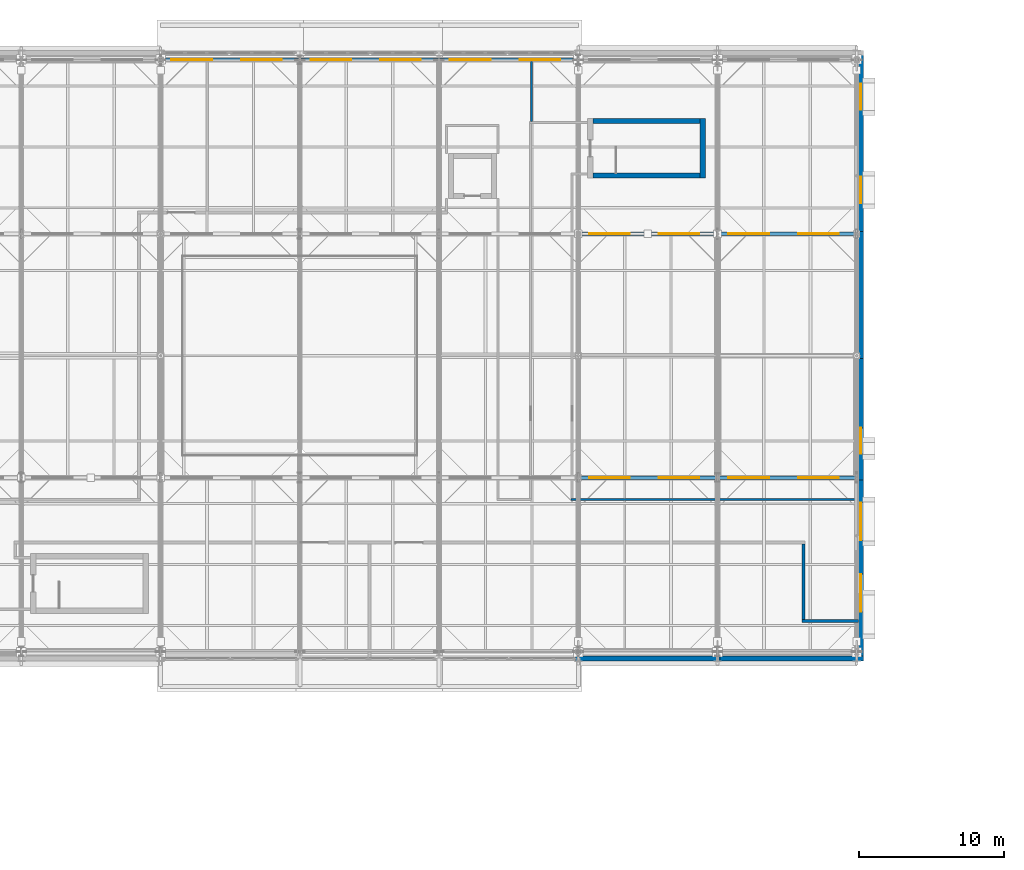
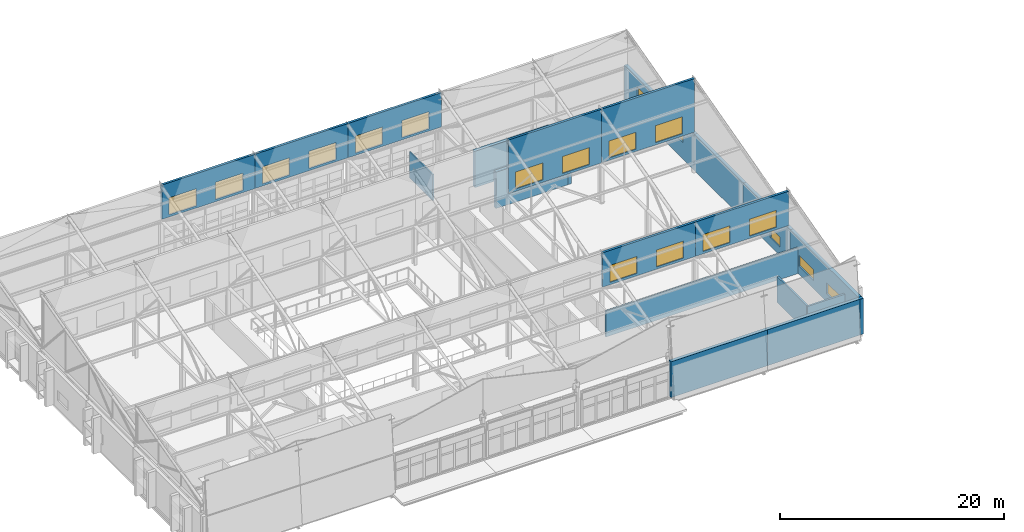
# One storey, part 82 of 89: 20 walls, 19 windows, 19 openings.
"""IFC4 building model written with IfcOpenShell, lengths in metres."""

from ifc_helpers import new_model, si_unit, direction, frame, frame_2d, origin, place, context, subcontext, project, spatial, rectangle, extrude, material, layer, layer_set, type_object, element, fill, save


model = new_model("IFC4")

# Units and contexts
model_context = context("Model", 3, precision=1e-05, world=origin(), true_north=direction((0.0, 1.0)))
body_context = subcontext(model_context, "Body", "Model", "MODEL_VIEW")
ifc_project = project(units=[si_unit("LENGTHUNIT", "METRE"), si_unit("AREAUNIT", "SQUARE_METRE"), si_unit("VOLUMEUNIT", "CUBIC_METRE"), si_unit("PLANEANGLEUNIT", "RADIAN"), si_unit("MASSUNIT", "GRAM", prefix="KILO")], contexts=[model_context])

# Site, building, storey
site_placement = place(None, origin())
site = spatial("IfcSite", under=ifc_project, at=site_placement, CompositionType="ELEMENT")
building_placement = place(site_placement, origin())
building = spatial("IfcBuilding", under=site, at=building_placement, Name="Zereglee Splitstone Museum", CompositionType="ELEMENT")
storey_placement = place(building_placement, frame((0.0, 0.0, 21.300048828125)))
storey = spatial("IfcBuildingStorey", under=building, at=storey_placement, Name="L04", CompositionType="ELEMENT", Elevation=21.300048828125)

# Walls
ifc_material_1 = material(Name="Concrete C45/55", Category="concrete")
ifc_layer_1 = layer(ifc_material_1, 0.360107421875)
ifc_layer_set_1 = layer_set([ifc_layer_1], Name="Concrete C45/55")
wall_type_1 = type_object("IfcWallType", Name="CSW-02", PredefinedType="SHEAR", material=ifc_layer_set_1)
wall_1_placement = place(storey_placement, frame((134.580078125, 42.239990234375, 0.0), z_axis=(0.0, 0.0, 1.0), x_axis=(0.0, 1.0, 0.0)))
element("IfcWall", 1, at=wall_1_placement, inside=storey, type_object=wall_type_1, Name="Stair Core Shear Wall ST-03 L04 East", PredefinedType="SHEAR", context=body_context, shape_type="SweptSolid", body=[
    extrude(rectangle(XDim=4.1201171875, YDim=0.360107421875, at=frame_2d((2.06005859375, 0.0))), origin(), (0.0, 0.0, 1.0), 3.949951171875),
])
for number, where, z_axis, x_axis, name in (
    (2, (127.0, 46.179931640625, 0.0), (0.0, 0.0, 1.0), (1.0, 0.0, 0.0), "Stair Core Shear Wall ST-03 L04 North"),
    (3, (127.0, 42.419921875, 0.0), (0.0, 0.0, 1.0), (1.0, 0.0, 0.0), "Stair Core Shear Wall ST-03 L04 South"),
):
    element("IfcWall", number, at=place(storey_placement, frame(where, z_axis=z_axis, x_axis=x_axis)), inside=storey, type_object=wall_type_1, Name=name, PredefinedType="SHEAR", context=body_context, shape_type="SweptSolid", body=[
        extrude(rectangle(XDim=7.39990234375, YDim=0.360107421875, at=frame_2d((3.699951171875, 0.0))), origin(), (0.0, 0.0, 1.0), 3.949951171875),
    ])
ifc_material_2 = material(Name="Precast concrete C40/50", Category="concrete")
ifc_layer_2 = layer(ifc_material_2, 0.35009765625)
ifc_layer_set_2 = layer_set([ifc_layer_2], Name="Precast concrete C40/50")
wall_type_2 = type_object("IfcWallType", Name="EW-01", PredefinedType="STANDARD", material=ifc_layer_set_2)
wall_2_placement = place(storey_placement, frame((125.820068359375, 9.1201171875, 0.0), z_axis=(0.0, 0.0, 1.0), x_axis=(1.0, 0.0, 0.0)))
element("IfcWall", 4, at=wall_2_placement, inside=storey, type_object=wall_type_2, Name="Exterior Backup Wall RC4-EW-L04-0224", PredefinedType="STANDARD", context=body_context, shape_type="SweptSolid", body=[
    extrude(rectangle(XDim=9.9599609375, YDim=0.35009765625, at=frame_2d((4.97998046875, 0.0))), origin(), (0.0, 0.0, 1.0), 3.89990234375),
])
wall_3_placement = place(storey_placement, frame((135.419921875, 9.1201171875, 0.0), z_axis=(0.0, 0.0, 1.0), x_axis=(1.0, 0.0, 0.0)))
element("IfcWall", 5, at=wall_3_placement, inside=storey, type_object=wall_type_2, Name="Exterior Backup Wall RC4-EW-L04-0225", PredefinedType="STANDARD", context=body_context, shape_type="SweptSolid", body=[
    extrude(rectangle(XDim=10.239990234375, YDim=0.35009765625, at=frame_2d((5.1201171875, 0.0))), origin(), (0.0, 0.0, 1.0), 3.89990234375),
])

# Wall, openings, windows
wall_4_placement = place(storey_placement, frame((145.47998046875, 8.93994140625, 0.0), z_axis=(0.0, 0.0, 1.0), x_axis=(0.0, 1.0, 0.0)))
wall_4 = element("IfcWall", 6, at=wall_4_placement, inside=storey, type_object=wall_type_2, Name="Exterior Backup Wall RC4-EW-L04-0226", PredefinedType="STANDARD", context=body_context, shape_type="SweptSolid", body=[
    extrude(rectangle(XDim=12.840087890625, YDim=0.35009765625, at=frame_2d((6.419921875, 0.0))), origin(), (0.0, 0.0, 1.0), 3.89990234375),
])
opening_1_placement = place(wall_4_placement, frame((3.409912109375, 0.0, 0.89990234375)))
opening_1 = element("IfcOpeningElement", 7, at=opening_1_placement, cuts=wall_4, Name="Opening EW-W14", PredefinedType="OPENING", context=body_context, shape_type="SweptSolid", body=[
    extrude(rectangle(XDim=2.60009765625, YDim=1.199951171875, at=frame_2d((1.300048828125, 0.60009765625))), frame((0.0, 0.18994140625, 0.0), z_axis=(0.0, -1.0, 0.0), x_axis=(1.0, 0.0, 0.0)), (0.0, 0.0, 1.0), 0.3798828125),
])
opening_2_placement = place(wall_4_placement, frame((8.330078125, 0.0, 0.89990234375)))
opening_2 = element("IfcOpeningElement", 8, at=opening_2_placement, cuts=wall_4, Name="Opening EW-W14", PredefinedType="OPENING", context=body_context, shape_type="SweptSolid", body=[
    extrude(rectangle(XDim=2.60009765625, YDim=1.199951171875, at=frame_2d((1.300048828125, 0.60009765625))), frame((0.0, 0.18994140625, 0.0), z_axis=(0.0, -1.0, 0.0), x_axis=(1.0, 0.0, 0.0)), (0.0, 0.0, 1.0), 0.3798828125),
])
ifc_material_3 = material(Name="Thermally broken aluminium frame with triple low-e glazing", Category="aluminium")
window_type_1 = type_object("IfcWindowType", Name="EW-W14", PartitioningType="TRIPLE_PANEL_VERTICAL", PredefinedType="WINDOW", material=ifc_material_3)
window_1_placement = place(opening_1_placement, origin())
window_1 = element("IfcWindow", 9, at=window_1_placement, inside=storey, type_object=window_type_1, Name="Mughal Deep-Reveal Gallery Window L04-0142", OverallHeight=1.199951171875, OverallWidth=2.60009765625, PartitioningType="SINGLE_PANEL", PredefinedType="WINDOW", context=body_context, shape_type="SweptSolid", body=[
    extrude(rectangle(XDim=2.60009765625, YDim=1.199951171875, at=frame_2d((1.300048828125, 0.60009765625))), frame((0.0, 0.030029296875, 0.0), z_axis=(0.0, -1.0, 0.0), x_axis=(1.0, 0.0, 0.0)), (0.0, 0.0, 1.0), 0.06005859375),
])
fill(opening_1, window_1)
window_2_placement = place(opening_2_placement, origin())
window_2 = element("IfcWindow", 10, at=window_2_placement, inside=storey, type_object=window_type_1, Name="Mughal Deep-Reveal Gallery Window L04-0143", OverallHeight=1.199951171875, OverallWidth=2.60009765625, PartitioningType="SINGLE_PANEL", PredefinedType="WINDOW", context=body_context, shape_type="SweptSolid", body=[
    extrude(rectangle(XDim=2.60009765625, YDim=1.199951171875, at=frame_2d((1.300048828125, 0.60009765625))), frame((0.0, 0.030029296875, 0.0), z_axis=(0.0, -1.0, 0.0), x_axis=(1.0, 0.0, 0.0)), (0.0, 0.0, 1.0), 0.06005859375),
])
fill(opening_2, window_2)

# Wall, opening, window
wall_5_placement = place(storey_placement, frame((145.47998046875, 21.419921875, 0.0), z_axis=(0.0, 0.0, 1.0), x_axis=(0.0, 1.0, 0.0)))
wall_5 = element("IfcWall", 11, at=wall_5_placement, inside=storey, type_object=wall_type_2, Name="Exterior Backup Wall RC4-EW-L04-0227", PredefinedType="STANDARD", context=body_context, shape_type="SweptSolid", body=[
    extrude(rectangle(XDim=8.760009765625, YDim=0.35009765625, at=frame_2d((4.3798828125, 0.0))), origin(), (0.0, 0.0, 1.0), 3.89990234375),
])
opening_3_placement = place(wall_5_placement, frame((1.81494140625, 0.0, 0.89990234375)))
opening_3 = element("IfcOpeningElement", 12, at=opening_3_placement, cuts=wall_5, Name="Opening EW-W12", PredefinedType="OPENING", context=body_context, shape_type="SweptSolid", body=[
    extrude(rectangle(XDim=1.800048828125, YDim=1.10009765625, at=frame_2d((0.89990234375, 0.550048828125))), frame((0.0, 0.18994140625, 0.0), z_axis=(0.0, -1.0, 0.0), x_axis=(1.0, 0.0, 0.0)), (0.0, 0.0, 1.0), 0.3798828125),
])
window_type_2 = type_object("IfcWindowType", Name="EW-W12", PartitioningType="DOUBLE_PANEL_HORIZONTAL", PredefinedType="WINDOW", material=ifc_material_3)
window_3_placement = place(opening_3_placement, origin())
window_3 = element("IfcWindow", 13, at=window_3_placement, inside=storey, type_object=window_type_2, Name="Mughal Deep-Reveal Gallery Window L04-0144", OverallHeight=1.10009765625, OverallWidth=1.800048828125, PartitioningType="SINGLE_PANEL", PredefinedType="WINDOW", context=body_context, shape_type="SweptSolid", body=[
    extrude(rectangle(XDim=1.800048828125, YDim=1.10009765625, at=frame_2d((0.89990234375, 0.550048828125))), frame((0.0, 0.030029296875, 0.0), z_axis=(0.0, -1.0, 0.0), x_axis=(1.0, 0.0, 0.0)), (0.0, 0.0, 1.0), 0.06005859375),
])
fill(opening_3, window_3)

# Wall
wall_6_placement = place(storey_placement, frame((145.47998046875, 29.820068359375, 0.0), z_axis=(0.0, 0.0, 1.0), x_axis=(0.0, 1.0, 0.0)))
element("IfcWall", 14, at=wall_6_placement, inside=storey, type_object=wall_type_2, Name="Exterior Backup Wall RC4-EW-L04-0228", PredefinedType="STANDARD", context=body_context, shape_type="SweptSolid", body=[
    extrude(rectangle(XDim=8.760009765625, YDim=0.35009765625, at=frame_2d((4.3798828125, 0.0))), origin(), (0.0, 0.0, 1.0), 3.89990234375),
])

# Wall, openings, windows
wall_7_placement = place(storey_placement, frame((145.47998046875, 38.219970703125, 0.0), z_axis=(0.0, 0.0, 1.0), x_axis=(0.0, 1.0, 0.0)))
wall_7 = element("IfcWall", 15, at=wall_7_placement, inside=storey, type_object=wall_type_2, Name="Exterior Backup Wall RC4-EW-L04-0229", PredefinedType="STANDARD", context=body_context, shape_type="SweptSolid", body=[
    extrude(rectangle(XDim=12.840087890625, YDim=0.35009765625, at=frame_2d((6.419921875, 0.0))), origin(), (0.0, 0.0, 1.0), 3.89990234375),
])
opening_4_placement = place(wall_7_placement, frame((2.31005859375, 0.0, 1.800048828125)))
opening_4 = element("IfcOpeningElement", 16, at=opening_4_placement, cuts=wall_7, Name="Opening EW-W12", PredefinedType="OPENING", context=body_context, shape_type="SweptSolid", body=[
    extrude(rectangle(XDim=1.800048828125, YDim=1.10009765625, at=frame_2d((0.89990234375, 0.550048828125))), frame((0.0, 0.18994140625, 0.0), z_axis=(0.0, -1.0, 0.0), x_axis=(1.0, 0.0, 0.0)), (0.0, 0.0, 1.0), 0.3798828125),
])
opening_5_placement = place(wall_7_placement, frame((8.72998046875, 0.0, 1.800048828125)))
opening_5 = element("IfcOpeningElement", 17, at=opening_5_placement, cuts=wall_7, Name="Opening EW-W12", PredefinedType="OPENING", context=body_context, shape_type="SweptSolid", body=[
    extrude(rectangle(XDim=1.800048828125, YDim=1.10009765625, at=frame_2d((0.89990234375, 0.550048828125))), frame((0.0, 0.18994140625, 0.0), z_axis=(0.0, -1.0, 0.0), x_axis=(1.0, 0.0, 0.0)), (0.0, 0.0, 1.0), 0.3798828125),
])
window_4_placement = place(opening_4_placement, origin())
window_4 = element("IfcWindow", 18, at=window_4_placement, inside=storey, type_object=window_type_2, Name="Mughal Deep-Reveal Gallery Window L04-0145", OverallHeight=1.10009765625, OverallWidth=1.800048828125, PartitioningType="SINGLE_PANEL", PredefinedType="WINDOW", context=body_context, shape_type="SweptSolid", body=[
    extrude(rectangle(XDim=1.800048828125, YDim=1.10009765625, at=frame_2d((0.89990234375, 0.550048828125))), frame((0.0, 0.030029296875, 0.0), z_axis=(0.0, -1.0, 0.0), x_axis=(1.0, 0.0, 0.0)), (0.0, 0.0, 1.0), 0.06005859375),
])
fill(opening_4, window_4)
window_5_placement = place(opening_5_placement, origin())
window_5 = element("IfcWindow", 19, at=window_5_placement, inside=storey, type_object=window_type_2, Name="Mughal Deep-Reveal Gallery Window L04-0146", OverallHeight=1.10009765625, OverallWidth=1.800048828125, PartitioningType="SINGLE_PANEL", PredefinedType="WINDOW", context=body_context, shape_type="SweptSolid", body=[
    extrude(rectangle(XDim=1.800048828125, YDim=1.10009765625, at=frame_2d((0.89990234375, 0.550048828125))), frame((0.0, 0.030029296875, 0.0), z_axis=(0.0, -1.0, 0.0), x_axis=(1.0, 0.0, 0.0)), (0.0, 0.0, 1.0), 0.06005859375),
])
fill(opening_5, window_5)

# Walls
ifc_material_4 = material(Name="Fire-rated gypsum board partition", Category="masonry")
ifc_layer_3 = layer(ifc_material_4, 0.139892578125)
ifc_layer_set_3 = layer_set([ifc_layer_3], Name="Fire-rated gypsum board partition")
wall_type_3 = type_object("IfcWallType", Name="IW-05", PredefinedType="PARTITIONING", material=ifc_layer_set_3)
wall_8_placement = place(storey_placement, frame((125.510009765625, 20.080078125, 0.0), z_axis=(0.0, 0.0, 1.0), x_axis=(1.0, 0.0, 0.0)))
element("IfcWall", 20, at=wall_8_placement, inside=storey, type_object=wall_type_3, Name="Interior Partition L04-0648 (Curatorial Study Room)", PredefinedType="PARTITIONING", context=body_context, shape_type="SweptSolid", body=[
    extrude(rectangle(XDim=19.794921875, YDim=0.139892578125, at=frame_2d((9.8974609375, 0.0))), origin(), (0.0, 0.0, 1.0), 2.829833984375),
])
wall_9_placement = place(storey_placement, frame((122.780029296875, 46.14990234375, 0.0), z_axis=(0.0, 0.0, 1.0), x_axis=(0.0, 1.0, 0.0)))
element("IfcWall", 21, at=wall_9_placement, inside=storey, type_object=wall_type_3, Name="Interior Partition L04-0690 (Research Reading Room)", PredefinedType="PARTITIONING", context=body_context, shape_type="SweptSolid", body=[
    extrude(rectangle(XDim=4.130126953125, YDim=0.139892578125, at=frame_2d((2.06494140625, 0.0))), origin(), (0.0, 0.0, 1.0), 2.829833984375),
])
ifc_material_5 = material(Name="Gypsum board on acoustic steel stud", Category="steel")
ifc_layer_4 = layer(ifc_material_5, 0.18994140625)
ifc_layer_set_4 = layer_set([ifc_layer_4], Name="Gypsum board on acoustic steel stud")
wall_type_4 = type_object("IfcWallType", Name="IW-02", PredefinedType="PARTITIONING", material=ifc_layer_set_4)
wall_10_placement = place(storey_placement, frame((141.425048828125, 11.719970703125, 0.0), z_axis=(0.0, 0.0, 1.0), x_axis=(1.0, 0.0, 0.0)))
element("IfcWall", 22, at=wall_10_placement, inside=storey, type_object=wall_type_4, Name="Interior Partition L04-0633 (Contemporary Central Asian Art Gallery)", PredefinedType="PARTITIONING", context=body_context, shape_type="SweptSolid", body=[
    extrude(rectangle(XDim=3.8798828125, YDim=0.18994140625, at=frame_2d((1.93994140625, 0.0))), origin(), (0.0, 0.0, 1.0), 2.829833984375),
])
wall_11_placement = place(storey_placement, frame((141.52001953125, 11.81494140625, 0.0), z_axis=(0.0, 0.0, 1.0), x_axis=(0.0, 1.0, 0.0)))
element("IfcWall", 23, at=wall_11_placement, inside=storey, type_object=wall_type_4, Name="Interior Partition L04-0694 (Contemporary Central Asian Art Gallery)", PredefinedType="PARTITIONING", context=body_context, shape_type="SweptSolid", body=[
    extrude(rectangle(XDim=5.2099609375, YDim=0.18994140625, at=frame_2d((2.60498046875, 0.0))), origin(), (0.0, 0.0, 1.0), 2.829833984375),
])

# Wall, openings, windows
ifc_layer_5 = layer(ifc_material_2, 0.239990234375)
ifc_layer_set_5 = layer_set([ifc_layer_5], Name="Precast concrete C40/50")
wall_type_5 = type_object("IfcWallType", Name="EW-04", PredefinedType="STANDARD", material=ifc_layer_set_5)
wall_12_placement = place(storey_placement, frame((97.199951171875, 50.39990234375, 4.3798828125), z_axis=(0.0, 0.0, 1.0), x_axis=(1.0, 0.0, 0.0)))
wall_12 = element("IfcWall", 24, at=wall_12_placement, inside=storey, type_object=wall_type_5, Name="North-Light Monitor Wall B3-S3", PredefinedType="STANDARD", context=body_context, shape_type="SweptSolid", body=[
    extrude(rectangle(XDim=9.60009765625, YDim=0.239990234375, at=frame_2d((4.800048828125, 0.0))), origin(), (0.0, 0.0, 1.0), 3.739990234375),
])
opening_6_placement = place(wall_12_placement, frame((0.75, 0.0, 0.25)))
opening_6 = element("IfcOpeningElement", 25, at=opening_6_placement, cuts=wall_12, Name="Opening SK-01", PredefinedType="OPENING", context=body_context, shape_type="SweptSolid", body=[
    extrude(rectangle(XDim=2.800048828125, YDim=1.85009765625, at=frame_2d((1.39990234375, 0.925048828125))), frame((0.0, 0.134765625, 0.0), z_axis=(0.0, -1.0, 0.0), x_axis=(1.0, 0.0, 0.0)), (0.0, 0.0, 1.0), 0.269775390625),
])
opening_7_placement = place(wall_12_placement, frame((5.550048828125, 0.0, 0.25)))
opening_7 = element("IfcOpeningElement", 26, at=opening_7_placement, cuts=wall_12, Name="Opening SK-01", PredefinedType="OPENING", context=body_context, shape_type="SweptSolid", body=[
    extrude(rectangle(XDim=2.800048828125, YDim=1.85009765625, at=frame_2d((1.39990234375, 0.925048828125))), frame((0.0, 0.134765625, 0.0), z_axis=(0.0, -1.0, 0.0), x_axis=(1.0, 0.0, 0.0)), (0.0, 0.0, 1.0), 0.269775390625),
])
window_type_3 = type_object("IfcWindowType", Name="SK-01", PartitioningType="TRIPLE_PANEL_VERTICAL", PredefinedType="SKYLIGHT", material=ifc_material_3)
window_6_placement = place(opening_6_placement, origin())
window_6 = element("IfcWindow", 27, at=window_6_placement, inside=storey, type_object=window_type_3, Name="North-Light Sawtooth Skylight B3-S3-1", OverallHeight=1.85009765625, OverallWidth=2.800048828125, PartitioningType="SINGLE_PANEL", PredefinedType="SKYLIGHT", context=body_context, shape_type="SweptSolid", body=[
    extrude(rectangle(XDim=2.800048828125, YDim=1.85009765625, at=frame_2d((1.39990234375, 0.925048828125))), frame((0.0, 0.030029296875, 0.0), z_axis=(0.0, -1.0, 0.0), x_axis=(1.0, 0.0, 0.0)), (0.0, 0.0, 1.0), 0.06005859375),
])
fill(opening_6, window_6)
window_7_placement = place(opening_7_placement, origin())
window_7 = element("IfcWindow", 28, at=window_7_placement, inside=storey, type_object=window_type_3, Name="North-Light Sawtooth Skylight B3-S3-2", OverallHeight=1.85009765625, OverallWidth=2.800048828125, PartitioningType="SINGLE_PANEL", PredefinedType="SKYLIGHT", context=body_context, shape_type="SweptSolid", body=[
    extrude(rectangle(XDim=2.800048828125, YDim=1.85009765625, at=frame_2d((1.39990234375, 0.925048828125))), frame((0.0, 0.030029296875, 0.0), z_axis=(0.0, -1.0, 0.0), x_axis=(1.0, 0.0, 0.0)), (0.0, 0.0, 1.0), 0.06005859375),
])
fill(opening_7, window_7)

wall_13_placement = place(storey_placement, frame((106.800048828125, 50.39990234375, 4.3798828125), z_axis=(0.0, 0.0, 1.0), x_axis=(1.0, 0.0, 0.0)))
wall_13 = element("IfcWall", 29, at=wall_13_placement, inside=storey, type_object=wall_type_5, Name="North-Light Monitor Wall B4-S3", PredefinedType="STANDARD", context=body_context, shape_type="SweptSolid", body=[
    extrude(rectangle(XDim=9.599853515625, YDim=0.239990234375, at=frame_2d((4.7998046875, 0.0))), origin(), (0.0, 0.0, 1.0), 3.739990234375),
])
opening_8_placement = place(wall_13_placement, frame((0.75, 0.0, 0.25)))
opening_8 = element("IfcOpeningElement", 30, at=opening_8_placement, cuts=wall_13, Name="Opening SK-01", PredefinedType="OPENING", context=body_context, shape_type="SweptSolid", body=[
    extrude(rectangle(XDim=2.800048828125, YDim=1.85009765625, at=frame_2d((1.39990234375, 0.925048828125))), frame((0.0, 0.134765625, 0.0), z_axis=(0.0, -1.0, 0.0), x_axis=(1.0, 0.0, 0.0)), (0.0, 0.0, 1.0), 0.269775390625),
])
opening_9_placement = place(wall_13_placement, frame((5.550048828125, 0.0, 0.25)))
opening_9 = element("IfcOpeningElement", 31, at=opening_9_placement, cuts=wall_13, Name="Opening SK-01", PredefinedType="OPENING", context=body_context, shape_type="SweptSolid", body=[
    extrude(rectangle(XDim=2.800048828125, YDim=1.85009765625, at=frame_2d((1.39990234375, 0.925048828125))), frame((0.0, 0.134765625, 0.0), z_axis=(0.0, -1.0, 0.0), x_axis=(1.0, 0.0, 0.0)), (0.0, 0.0, 1.0), 0.269775390625),
])
window_8_placement = place(opening_8_placement, origin())
window_8 = element("IfcWindow", 32, at=window_8_placement, inside=storey, type_object=window_type_3, Name="North-Light Sawtooth Skylight B4-S3-1", OverallHeight=1.85009765625, OverallWidth=2.800048828125, PartitioningType="SINGLE_PANEL", PredefinedType="SKYLIGHT", context=body_context, shape_type="SweptSolid", body=[
    extrude(rectangle(XDim=2.800048828125, YDim=1.85009765625, at=frame_2d((1.39990234375, 0.925048828125))), frame((0.0, 0.030029296875, 0.0), z_axis=(0.0, -1.0, 0.0), x_axis=(1.0, 0.0, 0.0)), (0.0, 0.0, 1.0), 0.06005859375),
])
fill(opening_8, window_8)
window_9_placement = place(opening_9_placement, origin())
window_9 = element("IfcWindow", 33, at=window_9_placement, inside=storey, type_object=window_type_3, Name="North-Light Sawtooth Skylight B4-S3-2", OverallHeight=1.85009765625, OverallWidth=2.800048828125, PartitioningType="SINGLE_PANEL", PredefinedType="SKYLIGHT", context=body_context, shape_type="SweptSolid", body=[
    extrude(rectangle(XDim=2.800048828125, YDim=1.85009765625, at=frame_2d((1.39990234375, 0.925048828125))), frame((0.0, 0.030029296875, 0.0), z_axis=(0.0, -1.0, 0.0), x_axis=(1.0, 0.0, 0.0)), (0.0, 0.0, 1.0), 0.06005859375),
])
fill(opening_9, window_9)

wall_14_placement = place(storey_placement, frame((116.39990234375, 50.39990234375, 4.3798828125), z_axis=(0.0, 0.0, 1.0), x_axis=(1.0, 0.0, 0.0)))
wall_14 = element("IfcWall", 34, at=wall_14_placement, inside=storey, type_object=wall_type_5, Name="North-Light Monitor Wall B5-S3", PredefinedType="STANDARD", context=body_context, shape_type="SweptSolid", body=[
    extrude(rectangle(XDim=9.60009765625, YDim=0.239990234375, at=frame_2d((4.800048828125, 0.0))), origin(), (0.0, 0.0, 1.0), 3.739990234375),
])
opening_10_placement = place(wall_14_placement, frame((0.75, 0.0, 0.25)))
opening_10 = element("IfcOpeningElement", 35, at=opening_10_placement, cuts=wall_14, Name="Opening SK-01", PredefinedType="OPENING", context=body_context, shape_type="SweptSolid", body=[
    extrude(rectangle(XDim=2.800048828125, YDim=1.85009765625, at=frame_2d((1.39990234375, 0.925048828125))), frame((0.0, 0.134765625, 0.0), z_axis=(0.0, -1.0, 0.0), x_axis=(1.0, 0.0, 0.0)), (0.0, 0.0, 1.0), 0.269775390625),
])
opening_11_placement = place(wall_14_placement, frame((5.550048828125, 0.0, 0.25)))
opening_11 = element("IfcOpeningElement", 36, at=opening_11_placement, cuts=wall_14, Name="Opening SK-01", PredefinedType="OPENING", context=body_context, shape_type="SweptSolid", body=[
    extrude(rectangle(XDim=2.800048828125, YDim=1.85009765625, at=frame_2d((1.39990234375, 0.925048828125))), frame((0.0, 0.134765625, 0.0), z_axis=(0.0, -1.0, 0.0), x_axis=(1.0, 0.0, 0.0)), (0.0, 0.0, 1.0), 0.269775390625),
])
window_10_placement = place(opening_10_placement, origin())
window_10 = element("IfcWindow", 37, at=window_10_placement, inside=storey, type_object=window_type_3, Name="North-Light Sawtooth Skylight B5-S3-1", OverallHeight=1.85009765625, OverallWidth=2.800048828125, PartitioningType="SINGLE_PANEL", PredefinedType="SKYLIGHT", context=body_context, shape_type="SweptSolid", body=[
    extrude(rectangle(XDim=2.800048828125, YDim=1.85009765625, at=frame_2d((1.39990234375, 0.925048828125))), frame((0.0, 0.030029296875, 0.0), z_axis=(0.0, -1.0, 0.0), x_axis=(1.0, 0.0, 0.0)), (0.0, 0.0, 1.0), 0.06005859375),
])
fill(opening_10, window_10)
window_11_placement = place(opening_11_placement, origin())
window_11 = element("IfcWindow", 38, at=window_11_placement, inside=storey, type_object=window_type_3, Name="North-Light Sawtooth Skylight B5-S3-2", OverallHeight=1.85009765625, OverallWidth=2.800048828125, PartitioningType="SINGLE_PANEL", PredefinedType="SKYLIGHT", context=body_context, shape_type="SweptSolid", body=[
    extrude(rectangle(XDim=2.800048828125, YDim=1.85009765625, at=frame_2d((1.39990234375, 0.925048828125))), frame((0.0, 0.030029296875, 0.0), z_axis=(0.0, -1.0, 0.0), x_axis=(1.0, 0.0, 0.0)), (0.0, 0.0, 1.0), 0.06005859375),
])
fill(opening_11, window_11)

wall_15_placement = place(storey_placement, frame((126.0, 21.60009765625, 4.3798828125), z_axis=(0.0, 0.0, 1.0), x_axis=(1.0, 0.0, 0.0)))
wall_15 = element("IfcWall", 39, at=wall_15_placement, inside=storey, type_object=wall_type_5, Name="North-Light Monitor Wall B6-S1", PredefinedType="STANDARD", context=body_context, shape_type="SweptSolid", body=[
    extrude(rectangle(XDim=9.60009765625, YDim=0.239990234375, at=frame_2d((4.800048828125, 0.0))), origin(), (0.0, 0.0, 1.0), 3.739990234375),
])
opening_12_placement = place(wall_15_placement, frame((0.75, 0.0, 0.25)))
opening_12 = element("IfcOpeningElement", 40, at=opening_12_placement, cuts=wall_15, Name="Opening SK-01", PredefinedType="OPENING", context=body_context, shape_type="SweptSolid", body=[
    extrude(rectangle(XDim=2.800048828125, YDim=1.85009765625, at=frame_2d((1.39990234375, 0.925048828125))), frame((0.0, 0.134765625, 0.0), z_axis=(0.0, -1.0, 0.0), x_axis=(1.0, 0.0, 0.0)), (0.0, 0.0, 1.0), 0.269775390625),
])
opening_13_placement = place(wall_15_placement, frame((5.550048828125, 0.0, 0.25)))
opening_13 = element("IfcOpeningElement", 41, at=opening_13_placement, cuts=wall_15, Name="Opening SK-01", PredefinedType="OPENING", context=body_context, shape_type="SweptSolid", body=[
    extrude(rectangle(XDim=2.800048828125, YDim=1.85009765625, at=frame_2d((1.39990234375, 0.925048828125))), frame((0.0, 0.134765625, 0.0), z_axis=(0.0, -1.0, 0.0), x_axis=(1.0, 0.0, 0.0)), (0.0, 0.0, 1.0), 0.269775390625),
])
window_12_placement = place(opening_12_placement, origin())
window_12 = element("IfcWindow", 42, at=window_12_placement, inside=storey, type_object=window_type_3, Name="North-Light Sawtooth Skylight B6-S1-1", OverallHeight=1.85009765625, OverallWidth=2.800048828125, PartitioningType="SINGLE_PANEL", PredefinedType="SKYLIGHT", context=body_context, shape_type="SweptSolid", body=[
    extrude(rectangle(XDim=2.800048828125, YDim=1.85009765625, at=frame_2d((1.39990234375, 0.925048828125))), frame((0.0, 0.030029296875, 0.0), z_axis=(0.0, -1.0, 0.0), x_axis=(1.0, 0.0, 0.0)), (0.0, 0.0, 1.0), 0.06005859375),
])
fill(opening_12, window_12)
window_13_placement = place(opening_13_placement, origin())
window_13 = element("IfcWindow", 43, at=window_13_placement, inside=storey, type_object=window_type_3, Name="North-Light Sawtooth Skylight B6-S1-2", OverallHeight=1.85009765625, OverallWidth=2.800048828125, PartitioningType="SINGLE_PANEL", PredefinedType="SKYLIGHT", context=body_context, shape_type="SweptSolid", body=[
    extrude(rectangle(XDim=2.800048828125, YDim=1.85009765625, at=frame_2d((1.39990234375, 0.925048828125))), frame((0.0, 0.030029296875, 0.0), z_axis=(0.0, -1.0, 0.0), x_axis=(1.0, 0.0, 0.0)), (0.0, 0.0, 1.0), 0.06005859375),
])
fill(opening_13, window_13)

wall_16_placement = place(storey_placement, frame((126.0, 38.39990234375, 4.3798828125), z_axis=(0.0, 0.0, 1.0), x_axis=(1.0, 0.0, 0.0)))
wall_16 = element("IfcWall", 44, at=wall_16_placement, inside=storey, type_object=wall_type_5, Name="North-Light Monitor Wall B6-S2", PredefinedType="STANDARD", context=body_context, shape_type="SweptSolid", body=[
    extrude(rectangle(XDim=9.60009765625, YDim=0.239990234375, at=frame_2d((4.800048828125, 0.0))), origin(), (0.0, 0.0, 1.0), 5.840087890625),
])
opening_14_placement = place(wall_16_placement, frame((0.75, 0.0, 0.25)))
opening_14 = element("IfcOpeningElement", 45, at=opening_14_placement, cuts=wall_16, Name="Opening SK-01", PredefinedType="OPENING", context=body_context, shape_type="SweptSolid", body=[
    extrude(rectangle(XDim=2.800048828125, YDim=1.85009765625, at=frame_2d((1.39990234375, 0.925048828125))), frame((0.0, 0.134765625, 0.0), z_axis=(0.0, -1.0, 0.0), x_axis=(1.0, 0.0, 0.0)), (0.0, 0.0, 1.0), 0.269775390625),
])
opening_15_placement = place(wall_16_placement, frame((5.550048828125, 0.0, 0.25)))
opening_15 = element("IfcOpeningElement", 46, at=opening_15_placement, cuts=wall_16, Name="Opening SK-01", PredefinedType="OPENING", context=body_context, shape_type="SweptSolid", body=[
    extrude(rectangle(XDim=2.800048828125, YDim=1.85009765625, at=frame_2d((1.39990234375, 0.925048828125))), frame((0.0, 0.134765625, 0.0), z_axis=(0.0, -1.0, 0.0), x_axis=(1.0, 0.0, 0.0)), (0.0, 0.0, 1.0), 0.269775390625),
])
window_14_placement = place(opening_14_placement, origin())
window_14 = element("IfcWindow", 47, at=window_14_placement, inside=storey, type_object=window_type_3, Name="North-Light Sawtooth Skylight B6-S2-1", OverallHeight=1.85009765625, OverallWidth=2.800048828125, PartitioningType="SINGLE_PANEL", PredefinedType="SKYLIGHT", context=body_context, shape_type="SweptSolid", body=[
    extrude(rectangle(XDim=2.800048828125, YDim=1.85009765625, at=frame_2d((1.39990234375, 0.925048828125))), frame((0.0, 0.030029296875, 0.0), z_axis=(0.0, -1.0, 0.0), x_axis=(1.0, 0.0, 0.0)), (0.0, 0.0, 1.0), 0.06005859375),
])
fill(opening_14, window_14)
window_15_placement = place(opening_15_placement, origin())
window_15 = element("IfcWindow", 48, at=window_15_placement, inside=storey, type_object=window_type_3, Name="North-Light Sawtooth Skylight B6-S2-2", OverallHeight=1.85009765625, OverallWidth=2.800048828125, PartitioningType="SINGLE_PANEL", PredefinedType="SKYLIGHT", context=body_context, shape_type="SweptSolid", body=[
    extrude(rectangle(XDim=2.800048828125, YDim=1.85009765625, at=frame_2d((1.39990234375, 0.925048828125))), frame((0.0, 0.030029296875, 0.0), z_axis=(0.0, -1.0, 0.0), x_axis=(1.0, 0.0, 0.0)), (0.0, 0.0, 1.0), 0.06005859375),
])
fill(opening_15, window_15)

wall_17_placement = place(storey_placement, frame((135.60009765625, 21.60009765625, 4.3798828125), z_axis=(0.0, 0.0, 1.0), x_axis=(1.0, 0.0, 0.0)))
wall_17 = element("IfcWall", 49, at=wall_17_placement, inside=storey, type_object=wall_type_5, Name="North-Light Monitor Wall B7-S1", PredefinedType="STANDARD", context=body_context, shape_type="SweptSolid", body=[
    extrude(rectangle(XDim=9.599853515625, YDim=0.239990234375, at=frame_2d((4.7998046875, 0.0))), origin(), (0.0, 0.0, 1.0), 3.739990234375),
])
opening_16_placement = place(wall_17_placement, frame((0.75, 0.0, 0.25)))
opening_16 = element("IfcOpeningElement", 50, at=opening_16_placement, cuts=wall_17, Name="Opening SK-01", PredefinedType="OPENING", context=body_context, shape_type="SweptSolid", body=[
    extrude(rectangle(XDim=2.800048828125, YDim=1.85009765625, at=frame_2d((1.39990234375, 0.925048828125))), frame((0.0, 0.134765625, 0.0), z_axis=(0.0, -1.0, 0.0), x_axis=(1.0, 0.0, 0.0)), (0.0, 0.0, 1.0), 0.269775390625),
])
opening_17_placement = place(wall_17_placement, frame((5.550048828125, 0.0, 0.25)))
opening_17 = element("IfcOpeningElement", 51, at=opening_17_placement, cuts=wall_17, Name="Opening SK-01", PredefinedType="OPENING", context=body_context, shape_type="SweptSolid", body=[
    extrude(rectangle(XDim=2.800048828125, YDim=1.85009765625, at=frame_2d((1.39990234375, 0.925048828125))), frame((0.0, 0.134765625, 0.0), z_axis=(0.0, -1.0, 0.0), x_axis=(1.0, 0.0, 0.0)), (0.0, 0.0, 1.0), 0.269775390625),
])
window_16_placement = place(opening_16_placement, origin())
window_16 = element("IfcWindow", 52, at=window_16_placement, inside=storey, type_object=window_type_3, Name="North-Light Sawtooth Skylight B7-S1-1", OverallHeight=1.85009765625, OverallWidth=2.800048828125, PartitioningType="SINGLE_PANEL", PredefinedType="SKYLIGHT", context=body_context, shape_type="SweptSolid", body=[
    extrude(rectangle(XDim=2.800048828125, YDim=1.85009765625, at=frame_2d((1.39990234375, 0.925048828125))), frame((0.0, 0.030029296875, 0.0), z_axis=(0.0, -1.0, 0.0), x_axis=(1.0, 0.0, 0.0)), (0.0, 0.0, 1.0), 0.06005859375),
])
fill(opening_16, window_16)
window_17_placement = place(opening_17_placement, origin())
window_17 = element("IfcWindow", 53, at=window_17_placement, inside=storey, type_object=window_type_3, Name="North-Light Sawtooth Skylight B7-S1-2", OverallHeight=1.85009765625, OverallWidth=2.800048828125, PartitioningType="SINGLE_PANEL", PredefinedType="SKYLIGHT", context=body_context, shape_type="SweptSolid", body=[
    extrude(rectangle(XDim=2.800048828125, YDim=1.85009765625, at=frame_2d((1.39990234375, 0.925048828125))), frame((0.0, 0.030029296875, 0.0), z_axis=(0.0, -1.0, 0.0), x_axis=(1.0, 0.0, 0.0)), (0.0, 0.0, 1.0), 0.06005859375),
])
fill(opening_17, window_17)

wall_18_placement = place(storey_placement, frame((135.60009765625, 38.39990234375, 4.3798828125), z_axis=(0.0, 0.0, 1.0), x_axis=(1.0, 0.0, 0.0)))
wall_18 = element("IfcWall", 54, at=wall_18_placement, inside=storey, type_object=wall_type_5, Name="North-Light Monitor Wall B7-S2", PredefinedType="STANDARD", context=body_context, shape_type="SweptSolid", body=[
    extrude(rectangle(XDim=9.599853515625, YDim=0.239990234375, at=frame_2d((4.7998046875, 0.0))), origin(), (0.0, 0.0, 1.0), 5.840087890625),
])
opening_18_placement = place(wall_18_placement, frame((0.75, 0.0, 0.25)))
opening_18 = element("IfcOpeningElement", 55, at=opening_18_placement, cuts=wall_18, Name="Opening SK-01", PredefinedType="OPENING", context=body_context, shape_type="SweptSolid", body=[
    extrude(rectangle(XDim=2.800048828125, YDim=1.85009765625, at=frame_2d((1.39990234375, 0.925048828125))), frame((0.0, 0.134765625, 0.0), z_axis=(0.0, -1.0, 0.0), x_axis=(1.0, 0.0, 0.0)), (0.0, 0.0, 1.0), 0.269775390625),
])
opening_19_placement = place(wall_18_placement, frame((5.550048828125, 0.0, 0.25)))
opening_19 = element("IfcOpeningElement", 56, at=opening_19_placement, cuts=wall_18, Name="Opening SK-01", PredefinedType="OPENING", context=body_context, shape_type="SweptSolid", body=[
    extrude(rectangle(XDim=2.800048828125, YDim=1.85009765625, at=frame_2d((1.39990234375, 0.925048828125))), frame((0.0, 0.134765625, 0.0), z_axis=(0.0, -1.0, 0.0), x_axis=(1.0, 0.0, 0.0)), (0.0, 0.0, 1.0), 0.269775390625),
])
window_18_placement = place(opening_18_placement, origin())
window_18 = element("IfcWindow", 57, at=window_18_placement, inside=storey, type_object=window_type_3, Name="North-Light Sawtooth Skylight B7-S2-1", OverallHeight=1.85009765625, OverallWidth=2.800048828125, PartitioningType="SINGLE_PANEL", PredefinedType="SKYLIGHT", context=body_context, shape_type="SweptSolid", body=[
    extrude(rectangle(XDim=2.800048828125, YDim=1.85009765625, at=frame_2d((1.39990234375, 0.925048828125))), frame((0.0, 0.030029296875, 0.0), z_axis=(0.0, -1.0, 0.0), x_axis=(1.0, 0.0, 0.0)), (0.0, 0.0, 1.0), 0.06005859375),
])
fill(opening_18, window_18)
window_19_placement = place(opening_19_placement, origin())
window_19 = element("IfcWindow", 58, at=window_19_placement, inside=storey, type_object=window_type_3, Name="North-Light Sawtooth Skylight B7-S2-2", OverallHeight=1.85009765625, OverallWidth=2.800048828125, PartitioningType="SINGLE_PANEL", PredefinedType="SKYLIGHT", context=body_context, shape_type="SweptSolid", body=[
    extrude(rectangle(XDim=2.800048828125, YDim=1.85009765625, at=frame_2d((1.39990234375, 0.925048828125))), frame((0.0, 0.030029296875, 0.0), z_axis=(0.0, -1.0, 0.0), x_axis=(1.0, 0.0, 0.0)), (0.0, 0.0, 1.0), 0.06005859375),
])
fill(opening_19, window_19)

save(model, "model.ifc")
